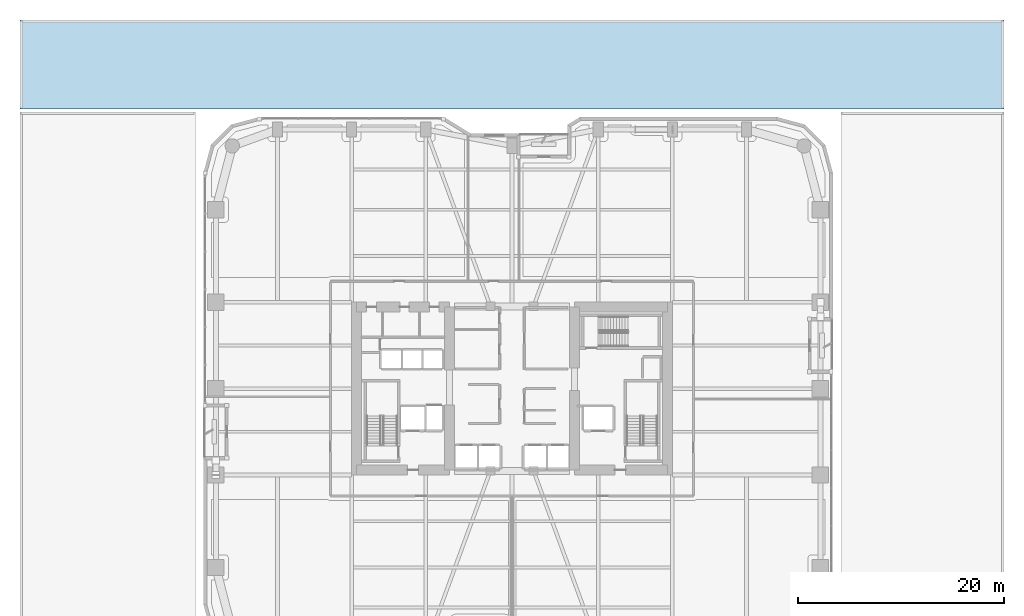
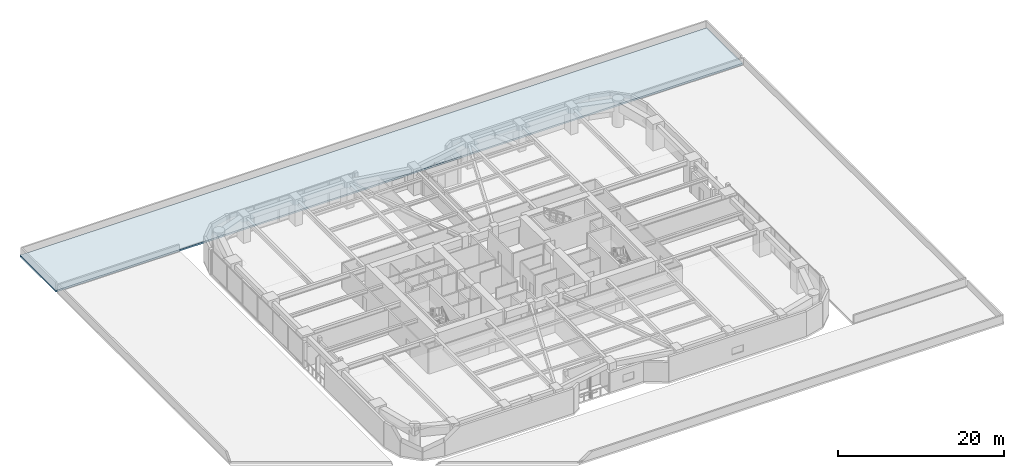
# One storey, part 25 of 38: 1 slab.
"""IFC4 building model written with IfcOpenShell, lengths in metres."""

import ifcopenshell
import ifcopenshell.guid

model = None  # the IFC model being written
_history = None  # IfcOwnerHistory: only IFC2X3 demands one
_inside = {}  # id of a spatial element -> (the spatial element, [elements in it])
_under = {}  # id of a project, library or spatial element -> (it, [spatial elements below it])
_declared = {}  # id of a project -> (the project, [libraries it declares])
_typed = {}  # id of a type object -> (the type object, [elements of that type])
_made_of = {}  # id of a material, layer set ... -> (it, [elements and type objects made of it])


def new_model(schema):
    """Start an empty IFC model of exactly this schema.

    Asked for "IFC4X3", IfcOpenShell would pick the latest addendum, in which some entities
    have other attributes; the version numbers below select the first issue.
    IFC2X3 requires an IfcOwnerHistory on every rooted entity: one is made here for all.
    """
    global model, _history
    if schema == "IFC4X3":
        model = ifcopenshell.file(schema_version=(4, 3, 0, 0))
    else:
        model = ifcopenshell.file(schema=schema)
    _inside.clear()
    _under.clear()
    _declared.clear()
    _typed.clear()
    _made_of.clear()
    _history = None
    if model.schema == "IFC2X3":
        org = make("IfcOrganization", Name="unknown")
        user = make(
            "IfcPersonAndOrganization",
            ThePerson=make("IfcPerson", FamilyName="unknown"),
            TheOrganization=org,
        )
        app = make(
            "IfcApplication",
            ApplicationDeveloper=org,
            Version="unknown",
            ApplicationFullName="unknown",
            ApplicationIdentifier="unknown",
        )
        _history = make(
            "IfcOwnerHistory",
            OwningUser=user,
            OwningApplication=app,
            ChangeAction="ADDED",
            CreationDate=0,
        )
    return model


def make(cls, **values):
    """One entity of the class cls with the attributes given. An attribute that is None is left unset."""
    return model.create_entity(
        cls, **{name: value for name, value in values.items() if value is not None}
    )


def rooted(cls, **values):
    """An entity with a GlobalId (a new one), such as an element, a storey or a relation."""
    return make(cls, GlobalId=ifcopenshell.guid.new(), OwnerHistory=_history, **values)


def si_unit(unit_type, name, prefix=None):
    """IfcSIUnit, for example si_unit("LENGTHUNIT", "METRE", prefix="MILLI")."""
    return make("IfcSIUnit", UnitType=unit_type, Prefix=prefix, Name=name)


def assignment(units):
    """IfcUnitAssignment: the units of a project."""
    return None if units is None else make("IfcUnitAssignment", Units=units)


def point(xyz):
    """IfcCartesianPoint."""
    return None if xyz is None else make("IfcCartesianPoint", Coordinates=xyz)


def direction(xyz):
    """IfcDirection."""
    return None if xyz is None else make("IfcDirection", DirectionRatios=xyz)


def frame(location, z_axis=None, x_axis=None):
    """IfcAxis2Placement3D, a coordinate frame: its origin and axes. An axis left out is left unset."""
    return make(
        "IfcAxis2Placement3D",
        Location=point(location),
        Axis=direction(z_axis),
        RefDirection=direction(x_axis),
    )


def origin():
    """The frame at (0, 0, 0) with its axes left unset."""
    return frame((0.0, 0.0, 0.0))


def place(relative_to, where):
    """IfcLocalPlacement: puts the frame where relative to a parent placement (None: the world)."""
    return make(
        "IfcLocalPlacement", PlacementRelTo=relative_to, RelativePlacement=where
    )


def context(
    kind, dimensions, precision=None, world=None, true_north=None, identifier=None
):
    """IfcGeometricRepresentationContext, for example the 3D "Model" context."""
    return make(
        "IfcGeometricRepresentationContext",
        ContextIdentifier=identifier,
        ContextType=kind,
        CoordinateSpaceDimension=dimensions,
        Precision=precision,
        WorldCoordinateSystem=world,
        TrueNorth=true_north,
    )


def subcontext(parent, identifier, kind, view, scale=None):
    """IfcGeometricRepresentationSubContext, for example "Body" below "Model"."""
    return make(
        "IfcGeometricRepresentationSubContext",
        ContextIdentifier=identifier,
        ContextType=kind,
        ParentContext=parent,
        TargetScale=scale,
        TargetView=view,
    )


def project(units=None, contexts=None):
    """IfcProject with its units and contexts."""
    return rooted(
        "IfcProject",
        Name="project",
        RepresentationContexts=contexts,
        UnitsInContext=assignment(units),
    )


def spatial(cls, under=None, at=None, **own):
    """A site, building, storey or space (cls), placed at a placement, below another one or the project."""
    s = rooted(cls, ObjectPlacement=at, **own)
    if under is not None:
        _under.setdefault(under.id(), (under, []))[1].append(s)
    return s


def polyline(points):
    """IfcPolyline through the points."""
    return make("IfcPolyline", Points=[point(p) for p in points])


def outline(outer, holes=None, kind="AREA"):
    """IfcArbitraryClosedProfileDef: a profile drawn as a closed curve; with holes, ...WithVoids."""
    if holes is None:
        return make("IfcArbitraryClosedProfileDef", ProfileType=kind, OuterCurve=outer)
    return make(
        "IfcArbitraryProfileDefWithVoids",
        ProfileType=kind,
        OuterCurve=outer,
        InnerCurves=holes,
    )


def extrude(swept, where, along, depth):
    """IfcExtrudedAreaSolid: the profile swept, set in the frame where, extruded along a direction by depth."""
    return make(
        "IfcExtrudedAreaSolid",
        SweptArea=swept,
        Position=where,
        ExtrudedDirection=direction(along),
        Depth=depth,
    )


def shape(context_of_items, identifier, shape_type, items):
    """IfcShapeRepresentation: the items that make up one representation, for example the "Body"."""
    return make(
        "IfcShapeRepresentation",
        ContextOfItems=context_of_items,
        RepresentationIdentifier=identifier,
        RepresentationType=shape_type,
        Items=items,
    )


def material(Name=None, Category=None):
    """IfcMaterial."""
    return make("IfcMaterial", Name=Name, Category=Category)


def layer(
    of_material, thickness, ventilated=None, Name=None, Category=None, Priority=None
):
    """IfcMaterialLayer: one layer of a wall or slab, of a material (None: an air gap)."""
    return make(
        "IfcMaterialLayer",
        Material=of_material,
        LayerThickness=thickness,
        IsVentilated=ventilated,
        Name=Name,
        Category=Category,
        Priority=Priority,
    )


def layer_set(layers, Name=None):
    """IfcMaterialLayerSet."""
    return make("IfcMaterialLayerSet", MaterialLayers=layers, LayerSetName=Name)


def made_of(thing, what):
    """Note that an element or type object is made of a material, layer set ...; save() writes the relation."""
    if what is not None:
        _made_of.setdefault(what.id(), (what, []))[1].append(thing)
    return thing


def type_object(cls, material=None, **own):
    """A type object (cls), such as IfcWallType, which elements share."""
    return made_of(rooted(cls, **own), material)


def element(
    cls,
    number,
    at=None,
    inside=None,
    cuts=None,
    type_object=None,
    material=None,
    context=None,
    identifier="Body",
    shape_type=None,
    held_by="IfcProductDefinitionShape",
    body=None,
    shapes=None,
    **own,
):
    """One element of the class cls, such as IfcWall. Its Tag is "e" and its number.

    at: its placement. inside: the storey or other place that contains it. cuts: it is an
    opening in that element (IfcRelVoidsElement). A single representation is given by context,
    identifier, shape_type and body (its items); several are given by shapes. held_by: the class
    of the entity that holds the representations. save() writes the other relations.
    """
    e = rooted(cls, Tag="e%d" % number, ObjectPlacement=at, **own)
    if body is not None:
        shapes = [shape(context, identifier, shape_type, body)]
    if shapes is not None:
        e.Representation = make(held_by, Representations=shapes)
    if inside is not None:
        _inside.setdefault(inside.id(), (inside, []))[1].append(e)
    if cuts is not None:
        rooted(
            "IfcRelVoidsElement", RelatingBuildingElement=cuts, RelatedOpeningElement=e
        )
    if type_object is not None:
        _typed.setdefault(type_object.id(), (type_object, []))[1].append(e)
    return made_of(e, material)


def aggregate(whole, parts):
    """IfcRelAggregates: a whole, such as a stair, and the parts it consists of."""
    return rooted("IfcRelAggregates", RelatingObject=whole, RelatedObjects=parts)


def save(model, path):
    """Write the relations noted so far, then the file.

    IfcRelAggregates (storeys below a building ...), IfcRelContainedInSpatialStructure (elements
    in a storey), IfcRelDefinesByType, IfcRelAssociatesMaterial and IfcRelDeclares: one each for
    every whole, place, type object, material and project.
    """
    for whole, parts in _under.values():
        aggregate(whole, parts)
    for where, things in _inside.values():
        rooted(
            "IfcRelContainedInSpatialStructure",
            RelatedElements=things,
            RelatingStructure=where,
        )
    for kind, things in _typed.values():
        rooted("IfcRelDefinesByType", RelatedObjects=things, RelatingType=kind)
    for what, things in _made_of.values():
        rooted("IfcRelAssociatesMaterial", RelatedObjects=things, RelatingMaterial=what)
    for by, libraries in _declared.values():
        rooted("IfcRelDeclares", RelatingContext=by, RelatedDefinitions=libraries)
    model.write(path)


model = new_model("IFC4")

# Units and contexts
model_context = context("Model", 3, precision=1e-05, world=origin(), true_north=direction((0.0, 1.0)))
body_context = subcontext(model_context, "Body", "Model", "MODEL_VIEW")
ifc_project = project(units=[si_unit("LENGTHUNIT", "METRE"), si_unit("AREAUNIT", "SQUARE_METRE"), si_unit("VOLUMEUNIT", "CUBIC_METRE"), si_unit("PLANEANGLEUNIT", "RADIAN"), si_unit("MASSUNIT", "GRAM", prefix="KILO")], contexts=[model_context])

# Site, building, storey
site_placement = place(None, origin())
site = spatial("IfcSite", under=ifc_project, at=site_placement, CompositionType="ELEMENT")
building_placement = place(site_placement, origin())
building = spatial("IfcBuilding", under=site, at=building_placement, Name="Kiyonajd Concourse Tower", CompositionType="ELEMENT")
storey_placement = place(building_placement, frame((0.0, 0.0, 21.60009765625)))
storey = spatial("IfcBuildingStorey", under=building, at=storey_placement, Name="L06", CompositionType="ELEMENT", Elevation=21.60009765625)

# Slab
ifc_material = material(Name="Concrete C40/50", Category="concrete")
ifc_layer = layer(ifc_material, 0.239990234375)
ifc_layer_set = layer_set([ifc_layer], Name="Concrete C40/50")
slab_type = type_object("IfcSlabType", Name="SL-TERR-240", PredefinedType="ROOF", material=ifc_layer_set)
slab_placement = place(storey_placement, frame((0.0, 0.0, -0.239990234375)))
element("IfcSlab", 1, at=slab_placement, inside=storey, type_object=slab_type, Name="L06 Setback Maintenance Roof Slab 2", PredefinedType="ROOF", context=body_context, shape_type="SweptSolid", body=[
    extrude(outline(polyline([(95.85009765625, 71.85009765625), (95.85009765625, 63.199951171875), (0.14990234375, 63.199951171875), (0.14990234375, 71.85009765625), (95.85009765625, 71.85009765625)])), origin(), (0.0, 0.0, 1.0), 0.239990234375),
])

save(model, "model.ifc")
